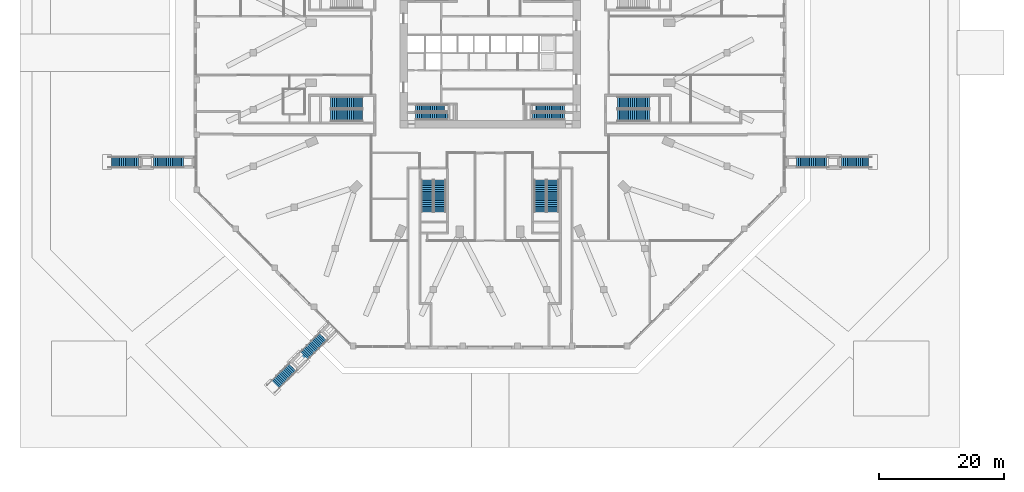
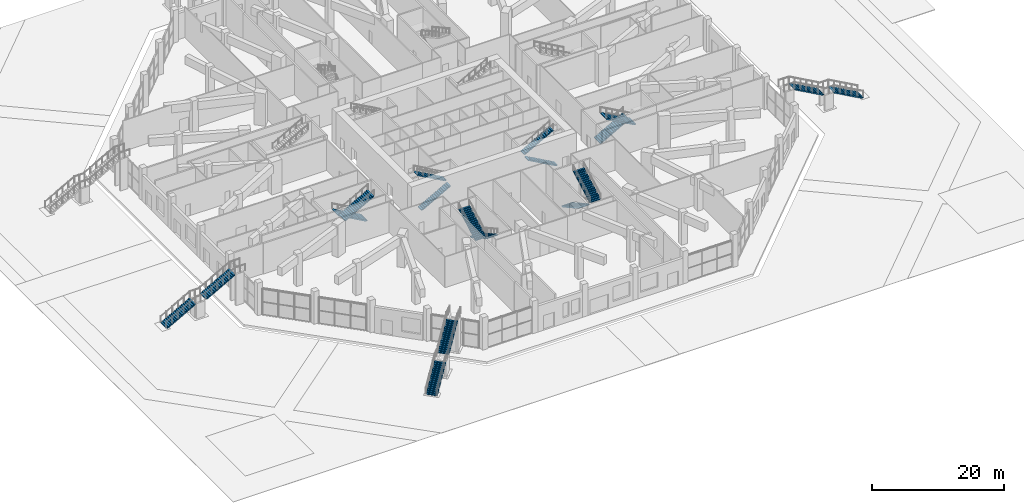
# One storey, part 29 of 36: 18 stair flights, 9 elements without a shape of their own.
"""IFC4 building model written with IfcOpenShell, lengths in metres."""

import ifcopenshell
import ifcopenshell.guid

model = None  # the IFC model being written
_history = None  # IfcOwnerHistory: only IFC2X3 demands one
_inside = {}  # id of a spatial element -> (the spatial element, [elements in it])
_under = {}  # id of a project, library or spatial element -> (it, [spatial elements below it])
_declared = {}  # id of a project -> (the project, [libraries it declares])
_typed = {}  # id of a type object -> (the type object, [elements of that type])
_made_of = {}  # id of a material, layer set ... -> (it, [elements and type objects made of it])


def new_model(schema):
    """Start an empty IFC model of exactly this schema.

    Asked for "IFC4X3", IfcOpenShell would pick the latest addendum, in which some entities
    have other attributes; the version numbers below select the first issue.
    IFC2X3 requires an IfcOwnerHistory on every rooted entity: one is made here for all.
    """
    global model, _history
    if schema == "IFC4X3":
        model = ifcopenshell.file(schema_version=(4, 3, 0, 0))
    else:
        model = ifcopenshell.file(schema=schema)
    _inside.clear()
    _under.clear()
    _declared.clear()
    _typed.clear()
    _made_of.clear()
    _history = None
    if model.schema == "IFC2X3":
        org = make("IfcOrganization", Name="unknown")
        user = make(
            "IfcPersonAndOrganization",
            ThePerson=make("IfcPerson", FamilyName="unknown"),
            TheOrganization=org,
        )
        app = make(
            "IfcApplication",
            ApplicationDeveloper=org,
            Version="unknown",
            ApplicationFullName="unknown",
            ApplicationIdentifier="unknown",
        )
        _history = make(
            "IfcOwnerHistory",
            OwningUser=user,
            OwningApplication=app,
            ChangeAction="ADDED",
            CreationDate=0,
        )
    return model


def make(cls, **values):
    """One entity of the class cls with the attributes given. An attribute that is None is left unset."""
    return model.create_entity(
        cls, **{name: value for name, value in values.items() if value is not None}
    )


def rooted(cls, **values):
    """An entity with a GlobalId (a new one), such as an element, a storey or a relation."""
    return make(cls, GlobalId=ifcopenshell.guid.new(), OwnerHistory=_history, **values)


def si_unit(unit_type, name, prefix=None):
    """IfcSIUnit, for example si_unit("LENGTHUNIT", "METRE", prefix="MILLI")."""
    return make("IfcSIUnit", UnitType=unit_type, Prefix=prefix, Name=name)


def assignment(units):
    """IfcUnitAssignment: the units of a project."""
    return None if units is None else make("IfcUnitAssignment", Units=units)


def point(xyz):
    """IfcCartesianPoint."""
    return None if xyz is None else make("IfcCartesianPoint", Coordinates=xyz)


def direction(xyz):
    """IfcDirection."""
    return None if xyz is None else make("IfcDirection", DirectionRatios=xyz)


def frame(location, z_axis=None, x_axis=None):
    """IfcAxis2Placement3D, a coordinate frame: its origin and axes. An axis left out is left unset."""
    return make(
        "IfcAxis2Placement3D",
        Location=point(location),
        Axis=direction(z_axis),
        RefDirection=direction(x_axis),
    )


def origin():
    """The frame at (0, 0, 0) with its axes left unset."""
    return frame((0.0, 0.0, 0.0))


def place(relative_to, where):
    """IfcLocalPlacement: puts the frame where relative to a parent placement (None: the world)."""
    return make(
        "IfcLocalPlacement", PlacementRelTo=relative_to, RelativePlacement=where
    )


def context(
    kind, dimensions, precision=None, world=None, true_north=None, identifier=None
):
    """IfcGeometricRepresentationContext, for example the 3D "Model" context."""
    return make(
        "IfcGeometricRepresentationContext",
        ContextIdentifier=identifier,
        ContextType=kind,
        CoordinateSpaceDimension=dimensions,
        Precision=precision,
        WorldCoordinateSystem=world,
        TrueNorth=true_north,
    )


def subcontext(parent, identifier, kind, view, scale=None):
    """IfcGeometricRepresentationSubContext, for example "Body" below "Model"."""
    return make(
        "IfcGeometricRepresentationSubContext",
        ContextIdentifier=identifier,
        ContextType=kind,
        ParentContext=parent,
        TargetScale=scale,
        TargetView=view,
    )


def project(units=None, contexts=None):
    """IfcProject with its units and contexts."""
    return rooted(
        "IfcProject",
        Name="project",
        RepresentationContexts=contexts,
        UnitsInContext=assignment(units),
    )


def spatial(cls, under=None, at=None, **own):
    """A site, building, storey or space (cls), placed at a placement, below another one or the project."""
    s = rooted(cls, ObjectPlacement=at, **own)
    if under is not None:
        _under.setdefault(under.id(), (under, []))[1].append(s)
    return s


def polyline(points):
    """IfcPolyline through the points."""
    return make("IfcPolyline", Points=[point(p) for p in points])


def outline(outer, holes=None, kind="AREA"):
    """IfcArbitraryClosedProfileDef: a profile drawn as a closed curve; with holes, ...WithVoids."""
    if holes is None:
        return make("IfcArbitraryClosedProfileDef", ProfileType=kind, OuterCurve=outer)
    return make(
        "IfcArbitraryProfileDefWithVoids",
        ProfileType=kind,
        OuterCurve=outer,
        InnerCurves=holes,
    )


def extrude(swept, where, along, depth):
    """IfcExtrudedAreaSolid: the profile swept, set in the frame where, extruded along a direction by depth."""
    return make(
        "IfcExtrudedAreaSolid",
        SweptArea=swept,
        Position=where,
        ExtrudedDirection=direction(along),
        Depth=depth,
    )


def shape(context_of_items, identifier, shape_type, items):
    """IfcShapeRepresentation: the items that make up one representation, for example the "Body"."""
    return make(
        "IfcShapeRepresentation",
        ContextOfItems=context_of_items,
        RepresentationIdentifier=identifier,
        RepresentationType=shape_type,
        Items=items,
    )


def material(Name=None, Category=None):
    """IfcMaterial."""
    return make("IfcMaterial", Name=Name, Category=Category)


def constituent(of_material, Name=None, Category=None, fraction=None):
    """IfcMaterialConstituent: one of the materials an element consists of."""
    return make(
        "IfcMaterialConstituent",
        Name=Name,
        Material=of_material,
        Fraction=fraction,
        Category=Category,
    )


def constituent_set(constituents=None, Name=None):
    """IfcMaterialConstituentSet."""
    return make(
        "IfcMaterialConstituentSet", Name=Name, MaterialConstituents=constituents
    )


def made_of(thing, what):
    """Note that an element or type object is made of a material, layer set ...; save() writes the relation."""
    if what is not None:
        _made_of.setdefault(what.id(), (what, []))[1].append(thing)
    return thing


def type_object(cls, material=None, **own):
    """A type object (cls), such as IfcWallType, which elements share."""
    return made_of(rooted(cls, **own), material)


def element(
    cls,
    number,
    at=None,
    inside=None,
    cuts=None,
    type_object=None,
    material=None,
    context=None,
    identifier="Body",
    shape_type=None,
    held_by="IfcProductDefinitionShape",
    body=None,
    shapes=None,
    **own,
):
    """One element of the class cls, such as IfcWall. Its Tag is "e" and its number.

    at: its placement. inside: the storey or other place that contains it. cuts: it is an
    opening in that element (IfcRelVoidsElement). A single representation is given by context,
    identifier, shape_type and body (its items); several are given by shapes. held_by: the class
    of the entity that holds the representations. save() writes the other relations.
    """
    e = rooted(cls, Tag="e%d" % number, ObjectPlacement=at, **own)
    if body is not None:
        shapes = [shape(context, identifier, shape_type, body)]
    if shapes is not None:
        e.Representation = make(held_by, Representations=shapes)
    if inside is not None:
        _inside.setdefault(inside.id(), (inside, []))[1].append(e)
    if cuts is not None:
        rooted(
            "IfcRelVoidsElement", RelatingBuildingElement=cuts, RelatedOpeningElement=e
        )
    if type_object is not None:
        _typed.setdefault(type_object.id(), (type_object, []))[1].append(e)
    return made_of(e, material)


def aggregate(whole, parts):
    """IfcRelAggregates: a whole, such as a stair, and the parts it consists of."""
    return rooted("IfcRelAggregates", RelatingObject=whole, RelatedObjects=parts)


def save(model, path):
    """Write the relations noted so far, then the file.

    IfcRelAggregates (storeys below a building ...), IfcRelContainedInSpatialStructure (elements
    in a storey), IfcRelDefinesByType, IfcRelAssociatesMaterial and IfcRelDeclares: one each for
    every whole, place, type object, material and project.
    """
    for whole, parts in _under.values():
        aggregate(whole, parts)
    for where, things in _inside.values():
        rooted(
            "IfcRelContainedInSpatialStructure",
            RelatedElements=things,
            RelatingStructure=where,
        )
    for kind, things in _typed.values():
        rooted("IfcRelDefinesByType", RelatedObjects=things, RelatingType=kind)
    for what, things in _made_of.values():
        rooted("IfcRelAssociatesMaterial", RelatedObjects=things, RelatingMaterial=what)
    for by, libraries in _declared.values():
        rooted("IfcRelDeclares", RelatingContext=by, RelatedDefinitions=libraries)
    model.write(path)


model = new_model("IFC4")

# Units and contexts
model_context = context("Model", 3, precision=1e-05, world=origin(), true_north=direction((0.0, 1.0)))
body_context = subcontext(model_context, "Body", "Model", "MODEL_VIEW")
ifc_project = project(units=[si_unit("LENGTHUNIT", "METRE"), si_unit("AREAUNIT", "SQUARE_METRE"), si_unit("VOLUMEUNIT", "CUBIC_METRE"), si_unit("PLANEANGLEUNIT", "RADIAN"), si_unit("MASSUNIT", "GRAM", prefix="KILO")], contexts=[model_context])

# Site, building, storey
site_placement = place(None, origin())
site = spatial("IfcSite", under=ifc_project, at=site_placement, CompositionType="ELEMENT")
building_placement = place(site_placement, origin())
building = spatial("IfcBuilding", under=site, at=building_placement, Name="Msitu Wima Residences", CompositionType="ELEMENT")
storey_placement = place(building_placement, origin())
storey = spatial("IfcBuildingStorey", under=building, at=storey_placement, Name="L00", CompositionType="ELEMENT", Elevation=0.0)

# Stair, stair flights
ifc_material_1 = material(Name="Concrete C40/50", Category="concrete")
stair_type_1 = type_object("IfcStairType", Name="Exit stair ES1667-110", PredefinedType="HALF_TURN_STAIR", material=ifc_material_1)
stair_1_placement = place(storey_placement, origin())
stair_1 = element("IfcStair", 1, at=stair_1_placement, inside=storey, type_object=stair_type_1, Name="Exit stair 2", PredefinedType="HALF_TURN_STAIR")
stair_flight_type_1 = type_object("IfcStairFlightType", Name="Exit stair flight ES1667-110", PredefinedType="STRAIGHT", material=ifc_material_1)
stair_flight_1_placement = place(storey_placement, frame((-11.875, -10.125, 0.0), z_axis=(0.0, 0.0, 1.0), x_axis=(1.0, 0.0, 0.0)))
stair_flight_1 = element("IfcStairFlight", 2, at=stair_flight_1_placement, type_object=stair_flight_type_1, Name="S2 flight 1", NumberOfRisers=18, NumberOfTreads=17, PredefinedType="STRAIGHT", RiserHeight=0.166666667, TreadLength=0.3, context=body_context, shape_type="SweptSolid", body=[
    extrude(outline(polyline([(0.0, 0.0), (0.0, 0.166748046875), (0.300048828125, 0.166748046875), (0.300048828125, 0.333251953125), (0.60009765625, 0.333251953125), (0.60009765625, 0.5), (0.89990234375, 0.5), (0.89990234375, 0.666748046875), (1.199951171875, 0.666748046875), (1.199951171875, 0.833251953125), (1.5, 0.833251953125), (1.5, 1.0), (1.800048828125, 1.0), (1.800048828125, 1.166748046875), (2.10009765625, 1.166748046875), (2.10009765625, 1.333251953125), (2.39990234375, 1.333251953125), (2.39990234375, 1.5), (2.699951171875, 1.5), (2.699951171875, 1.666748046875), (3.0, 1.666748046875), (3.0, 1.833251953125), (3.300048828125, 1.833251953125), (3.300048828125, 2.0), (3.60009765625, 2.0), (3.60009765625, 2.166748046875), (3.89990234375, 2.166748046875), (3.89990234375, 2.333251953125), (4.199951171875, 2.333251953125), (4.199951171875, 2.5), (4.5, 2.5), (4.5, 2.666748046875), (4.800048828125, 2.666748046875), (4.800048828125, 2.833251953125), (5.10009765625, 2.833251953125), (5.10009765625, 3.0), (5.10009765625, 2.661865234375), (0.30859375, 0.0), (0.0, 0.0)])), frame((0.0, 0.550048828125, 0.0), z_axis=(0.0, -1.0, 0.0), x_axis=(1.0, 0.0, 0.0)), (0.0, 0.0, 1.0), 1.10009765625),
])
stair_flight_2_placement = place(storey_placement, frame((-6.77490234375, -8.875, 3.0), z_axis=(0.0, 0.0, 1.0), x_axis=(-1.0, 0.0, 0.0)))
stair_flight_2 = element("IfcStairFlight", 3, at=stair_flight_2_placement, type_object=stair_flight_type_1, Name="S2 flight 2", NumberOfRisers=18, NumberOfTreads=17, PredefinedType="STRAIGHT", RiserHeight=0.166666667, TreadLength=0.3, context=body_context, shape_type="SweptSolid", body=[
    extrude(outline(polyline([(0.0, 0.0), (0.0, 0.166748046875), (0.300048828125, 0.166748046875), (0.300048828125, 0.333251953125), (0.60009765625, 0.333251953125), (0.60009765625, 0.5), (0.89990234375, 0.5), (0.89990234375, 0.666748046875), (1.199951171875, 0.666748046875), (1.199951171875, 0.833251953125), (1.5, 0.833251953125), (1.5, 1.0), (1.800048828125, 1.0), (1.800048828125, 1.166748046875), (2.10009765625, 1.166748046875), (2.10009765625, 1.333251953125), (2.39990234375, 1.333251953125), (2.39990234375, 1.5), (2.699951171875, 1.5), (2.699951171875, 1.666748046875), (3.0, 1.666748046875), (3.0, 1.833251953125), (3.300048828125, 1.833251953125), (3.300048828125, 2.0), (3.60009765625, 2.0), (3.60009765625, 2.166748046875), (3.89990234375, 2.166748046875), (3.89990234375, 2.333251953125), (4.199951171875, 2.333251953125), (4.199951171875, 2.5), (4.5, 2.5), (4.5, 2.666748046875), (4.800048828125, 2.666748046875), (4.800048828125, 2.833251953125), (5.10009765625, 2.833251953125), (5.10009765625, 3.0), (5.10009765625, 2.661865234375), (0.30859375, 0.0), (0.0, 0.0)])), frame((0.0, 0.550048828125, 0.0), z_axis=(0.0, -1.0, 0.0), x_axis=(1.0, 0.0, 0.0)), (0.0, 0.0, 1.0), 1.10009765625),
])
aggregate(stair_1, [stair_flight_1, stair_flight_2])

stair_2_placement = place(storey_placement, origin())
stair_2 = element("IfcStair", 4, at=stair_2_placement, inside=storey, type_object=stair_type_1, Name="Exit stair 4", PredefinedType="HALF_TURN_STAIR")
stair_flight_3_placement = place(storey_placement, frame((11.875, -10.125, 0.0), z_axis=(0.0, 0.0, 1.0), x_axis=(-1.0, 0.0, 0.0)))
stair_flight_3 = element("IfcStairFlight", 5, at=stair_flight_3_placement, type_object=stair_flight_type_1, Name="S4 flight 1", NumberOfRisers=18, NumberOfTreads=17, PredefinedType="STRAIGHT", RiserHeight=0.166666667, TreadLength=0.3, context=body_context, shape_type="SweptSolid", body=[
    extrude(outline(polyline([(0.0, 0.0), (0.0, 0.166748046875), (0.300048828125, 0.166748046875), (0.300048828125, 0.333251953125), (0.60009765625, 0.333251953125), (0.60009765625, 0.5), (0.89990234375, 0.5), (0.89990234375, 0.666748046875), (1.199951171875, 0.666748046875), (1.199951171875, 0.833251953125), (1.5, 0.833251953125), (1.5, 1.0), (1.800048828125, 1.0), (1.800048828125, 1.166748046875), (2.10009765625, 1.166748046875), (2.10009765625, 1.333251953125), (2.39990234375, 1.333251953125), (2.39990234375, 1.5), (2.699951171875, 1.5), (2.699951171875, 1.666748046875), (3.0, 1.666748046875), (3.0, 1.833251953125), (3.300048828125, 1.833251953125), (3.300048828125, 2.0), (3.60009765625, 2.0), (3.60009765625, 2.166748046875), (3.89990234375, 2.166748046875), (3.89990234375, 2.333251953125), (4.199951171875, 2.333251953125), (4.199951171875, 2.5), (4.5, 2.5), (4.5, 2.666748046875), (4.800048828125, 2.666748046875), (4.800048828125, 2.833251953125), (5.10009765625, 2.833251953125), (5.10009765625, 3.0), (5.10009765625, 2.661865234375), (0.30859375, 0.0), (0.0, 0.0)])), frame((0.0, 0.550048828125, 0.0), z_axis=(0.0, -1.0, 0.0), x_axis=(1.0, 0.0, 0.0)), (0.0, 0.0, 1.0), 1.10009765625),
])
stair_flight_4_placement = place(storey_placement, frame((6.77490234375, -8.875, 3.0), z_axis=(0.0, 0.0, 1.0), x_axis=(1.0, 0.0, 0.0)))
stair_flight_4 = element("IfcStairFlight", 6, at=stair_flight_4_placement, type_object=stair_flight_type_1, Name="S4 flight 2", NumberOfRisers=18, NumberOfTreads=17, PredefinedType="STRAIGHT", RiserHeight=0.166666667, TreadLength=0.3, context=body_context, shape_type="SweptSolid", body=[
    extrude(outline(polyline([(0.0, 0.0), (0.0, 0.166748046875), (0.300048828125, 0.166748046875), (0.300048828125, 0.333251953125), (0.60009765625, 0.333251953125), (0.60009765625, 0.5), (0.89990234375, 0.5), (0.89990234375, 0.666748046875), (1.199951171875, 0.666748046875), (1.199951171875, 0.833251953125), (1.5, 0.833251953125), (1.5, 1.0), (1.800048828125, 1.0), (1.800048828125, 1.166748046875), (2.10009765625, 1.166748046875), (2.10009765625, 1.333251953125), (2.39990234375, 1.333251953125), (2.39990234375, 1.5), (2.699951171875, 1.5), (2.699951171875, 1.666748046875), (3.0, 1.666748046875), (3.0, 1.833251953125), (3.300048828125, 1.833251953125), (3.300048828125, 2.0), (3.60009765625, 2.0), (3.60009765625, 2.166748046875), (3.89990234375, 2.166748046875), (3.89990234375, 2.333251953125), (4.199951171875, 2.333251953125), (4.199951171875, 2.5), (4.5, 2.5), (4.5, 2.666748046875), (4.800048828125, 2.666748046875), (4.800048828125, 2.833251953125), (5.10009765625, 2.833251953125), (5.10009765625, 3.0), (5.10009765625, 2.661865234375), (0.30859375, 0.0), (0.0, 0.0)])), frame((0.0, 0.550048828125, 0.0), z_axis=(0.0, -1.0, 0.0), x_axis=(1.0, 0.0, 0.0)), (0.0, 0.0, 1.0), 1.10009765625),
])
aggregate(stair_2, [stair_flight_3, stair_flight_4])

stair_type_2 = type_object("IfcStairType", Name="External stair garden STAIR", PredefinedType="NOTDEFINED", material=ifc_material_1)
stair_3_placement = place(storey_placement, origin())
stair_3 = element("IfcStair", 7, at=stair_3_placement, inside=storey, type_object=stair_type_2, Name="External stair SW4", PredefinedType="NOTDEFINED")
ifc_constituent_1 = constituent(ifc_material_1, Name="Concrete C40/50")
ifc_material_2 = material(Name="Exposed aggregate finish")
ifc_constituent_2 = constituent(ifc_material_2, Name="Exposed aggregate finish")
ifc_constituent_set_1 = constituent_set(constituents=[ifc_constituent_1, ifc_constituent_2], Name="Concrete C40/50")
stair_flight_type_2 = type_object("IfcStairFlightType", Name="External stair flight FL1800", PredefinedType="STRAIGHT", material=ifc_constituent_set_1)
stair_flight_5_placement = place(storey_placement, frame((-34.944091796875, -53.652099609375, 0.0), z_axis=(0.0, 0.0, 1.0), x_axis=(0.707106781187, 0.707106781187, 0.0)))
stair_flight_5 = element("IfcStairFlight", 8, at=stair_flight_5_placement, type_object=stair_flight_type_2, Name="ES1 flight 1", NumberOfRisers=18, NumberOfTreads=17, PredefinedType="STRAIGHT", RiserHeight=0.166667, TreadLength=0.3, context=body_context, shape_type="SweptSolid", body=[
    extrude(outline(polyline([(0.0, 0.0), (0.0, 0.166748046875), (0.300048828125, 0.166748046875), (0.300048828125, 0.333251953125), (0.60009765625, 0.333251953125), (0.60009765625, 0.5), (0.89990234375, 0.5), (0.89990234375, 0.666748046875), (1.199951171875, 0.666748046875), (1.199951171875, 0.833251953125), (1.5, 0.833251953125), (1.5, 1.0), (1.800048828125, 1.0), (1.800048828125, 1.166748046875), (2.10009765625, 1.166748046875), (2.10009765625, 1.333251953125), (2.39990234375, 1.333251953125), (2.39990234375, 1.5), (2.699951171875, 1.5), (2.699951171875, 1.666748046875), (3.0, 1.666748046875), (3.0, 1.833251953125), (3.300048828125, 1.833251953125), (3.300048828125, 2.0), (3.60009765625, 2.0), (3.60009765625, 2.166748046875), (3.89990234375, 2.166748046875), (3.89990234375, 2.333251953125), (4.199951171875, 2.333251953125), (4.199951171875, 2.5), (4.5, 2.5), (4.5, 2.666748046875), (4.800048828125, 2.666748046875), (4.800048828125, 2.833251953125), (5.10009765625, 2.833251953125), (5.10009765625, 3.0), (5.10009765625, 2.661865234375), (0.30859375, 0.0), (0.0, 0.0)])), frame((0.0, 0.89990234375, 0.0), z_axis=(0.0, -1.0, 0.0), x_axis=(1.0, 0.0, 0.0)), (0.0, 0.0, 1.0), 1.800048828125),
])
stair_flight_6_placement = place(storey_placement, frame((-30.06494140625, -48.773193359375, 3.0), z_axis=(0.0, 0.0, 1.0), x_axis=(0.707106781187, 0.707106781187, 0.0)))
stair_flight_6 = element("IfcStairFlight", 9, at=stair_flight_6_placement, type_object=stair_flight_type_2, Name="ES1 flight 2", NumberOfRisers=18, NumberOfTreads=17, PredefinedType="STRAIGHT", RiserHeight=0.166667, TreadLength=0.3, context=body_context, shape_type="SweptSolid", body=[
    extrude(outline(polyline([(0.0, 0.0), (0.0, 0.166748046875), (0.300048828125, 0.166748046875), (0.300048828125, 0.333251953125), (0.60009765625, 0.333251953125), (0.60009765625, 0.5), (0.89990234375, 0.5), (0.89990234375, 0.666748046875), (1.199951171875, 0.666748046875), (1.199951171875, 0.833251953125), (1.5, 0.833251953125), (1.5, 1.0), (1.800048828125, 1.0), (1.800048828125, 1.166748046875), (2.10009765625, 1.166748046875), (2.10009765625, 1.333251953125), (2.39990234375, 1.333251953125), (2.39990234375, 1.5), (2.699951171875, 1.5), (2.699951171875, 1.666748046875), (3.0, 1.666748046875), (3.0, 1.833251953125), (3.300048828125, 1.833251953125), (3.300048828125, 2.0), (3.60009765625, 2.0), (3.60009765625, 2.166748046875), (3.89990234375, 2.166748046875), (3.89990234375, 2.333251953125), (4.199951171875, 2.333251953125), (4.199951171875, 2.5), (4.5, 2.5), (4.5, 2.666748046875), (4.800048828125, 2.666748046875), (4.800048828125, 2.833251953125), (5.10009765625, 2.833251953125), (5.10009765625, 3.0), (5.10009765625, 2.661865234375), (0.30859375, 0.0), (0.0, 0.0)])), frame((0.0, 0.89990234375, 0.0), z_axis=(0.0, -1.0, 0.0), x_axis=(1.0, 0.0, 0.0)), (0.0, 0.0, 1.0), 1.800048828125),
])
aggregate(stair_3, [stair_flight_5, stair_flight_6])

ifc_constituent_3 = constituent(ifc_material_1, Name="Concrete C40/50")
ifc_constituent_4 = constituent(ifc_material_2, Name="Exposed aggregate finish")
ifc_constituent_set_2 = constituent_set(constituents=[ifc_constituent_3, ifc_constituent_4], Name="Concrete C40/50")
stair_type_3 = type_object("IfcStairType", Name="Garden stair GX1667-180", PredefinedType="STRAIGHT_RUN_STAIR", material=ifc_constituent_set_2)
stair_4_placement = place(storey_placement, origin())
stair_4 = element("IfcStair", 10, at=stair_4_placement, inside=storey, type_object=stair_type_3, Name="Garden stair 2", PredefinedType="STRAIGHT_RUN_STAIR")
ifc_constituent_5 = constituent(ifc_material_1, Name="Concrete C40/50")
ifc_constituent_6 = constituent(ifc_material_2, Name="Exposed aggregate finish")
ifc_constituent_set_3 = constituent_set(constituents=[ifc_constituent_5, ifc_constituent_6], Name="Concrete C40/50")
stair_flight_type_3 = type_object("IfcStairFlightType", Name="Garden stair flight GX1667-180", PredefinedType="STRAIGHT", material=ifc_constituent_set_3)
stair_flight_7_placement = place(storey_placement, frame((60.89990234375, -17.484619140625, 0.0), z_axis=(0.0, 0.0, 1.0), x_axis=(-1.0, 0.0, 0.0)))
stair_flight_7 = element("IfcStairFlight", 11, at=stair_flight_7_placement, type_object=stair_flight_type_3, Name="GS2 flight 1", NumberOfRisers=18, NumberOfTreads=17, PredefinedType="STRAIGHT", RiserHeight=0.166667, TreadLength=0.3, context=body_context, shape_type="SweptSolid", body=[
    extrude(outline(polyline([(0.0, 0.0), (0.0, 0.166748046875), (0.300048828125, 0.166748046875), (0.300048828125, 0.333251953125), (0.60009765625, 0.333251953125), (0.60009765625, 0.5), (0.89990234375, 0.5), (0.89990234375, 0.666748046875), (1.199951171875, 0.666748046875), (1.199951171875, 0.833251953125), (1.5, 0.833251953125), (1.5, 1.0), (1.800048828125, 1.0), (1.800048828125, 1.166748046875), (2.10009765625, 1.166748046875), (2.10009765625, 1.333251953125), (2.39990234375, 1.333251953125), (2.39990234375, 1.5), (2.699951171875, 1.5), (2.699951171875, 1.666748046875), (3.0, 1.666748046875), (3.0, 1.833251953125), (3.300048828125, 1.833251953125), (3.300048828125, 2.0), (3.60009765625, 2.0), (3.60009765625, 2.166748046875), (3.89990234375, 2.166748046875), (3.89990234375, 2.333251953125), (4.199951171875, 2.333251953125), (4.199951171875, 2.5), (4.5, 2.5), (4.5, 2.666748046875), (4.800048828125, 2.666748046875), (4.800048828125, 2.833251953125), (5.10009765625, 2.833251953125), (5.10009765625, 3.0), (5.10009765625, 2.661865234375), (0.30859375, 0.0), (0.0, 0.0)])), frame((0.0, 0.89990234375, 0.0), z_axis=(0.0, -1.0, 0.0), x_axis=(1.0, 0.0, 0.0)), (0.0, 0.0, 1.0), 1.800048828125),
])
stair_flight_8_placement = place(storey_placement, frame((54.0, -17.484619140625, 3.0), z_axis=(0.0, 0.0, 1.0), x_axis=(-1.0, 0.0, 0.0)))
stair_flight_8 = element("IfcStairFlight", 12, at=stair_flight_8_placement, type_object=stair_flight_type_3, Name="GS2 flight 2", NumberOfRisers=18, NumberOfTreads=17, PredefinedType="STRAIGHT", RiserHeight=0.166667, TreadLength=0.3, context=body_context, shape_type="SweptSolid", body=[
    extrude(outline(polyline([(0.0, 0.0), (0.0, 0.166748046875), (0.300048828125, 0.166748046875), (0.300048828125, 0.333251953125), (0.60009765625, 0.333251953125), (0.60009765625, 0.5), (0.89990234375, 0.5), (0.89990234375, 0.666748046875), (1.199951171875, 0.666748046875), (1.199951171875, 0.833251953125), (1.5, 0.833251953125), (1.5, 1.0), (1.800048828125, 1.0), (1.800048828125, 1.166748046875), (2.10009765625, 1.166748046875), (2.10009765625, 1.333251953125), (2.39990234375, 1.333251953125), (2.39990234375, 1.5), (2.699951171875, 1.5), (2.699951171875, 1.666748046875), (3.0, 1.666748046875), (3.0, 1.833251953125), (3.300048828125, 1.833251953125), (3.300048828125, 2.0), (3.60009765625, 2.0), (3.60009765625, 2.166748046875), (3.89990234375, 2.166748046875), (3.89990234375, 2.333251953125), (4.199951171875, 2.333251953125), (4.199951171875, 2.5), (4.5, 2.5), (4.5, 2.666748046875), (4.800048828125, 2.666748046875), (4.800048828125, 2.833251953125), (5.10009765625, 2.833251953125), (5.10009765625, 3.0), (5.10009765625, 2.661865234375), (0.30859375, 0.0), (0.0, 0.0)])), frame((0.0, 0.89990234375, 0.0), z_axis=(0.0, -1.0, 0.0), x_axis=(1.0, 0.0, 0.0)), (0.0, 0.0, 1.0), 1.800048828125),
])
aggregate(stair_4, [stair_flight_7, stair_flight_8])

stair_5_placement = place(storey_placement, origin())
stair_5 = element("IfcStair", 13, at=stair_5_placement, inside=storey, type_object=stair_type_3, Name="Garden stair 3", PredefinedType="STRAIGHT_RUN_STAIR")
stair_flight_9_placement = place(storey_placement, frame((-60.89990234375, -17.484619140625, 0.0), z_axis=(0.0, 0.0, 1.0), x_axis=(1.0, 0.0, 0.0)))
stair_flight_9 = element("IfcStairFlight", 14, at=stair_flight_9_placement, type_object=stair_flight_type_3, Name="GS3 flight 1", NumberOfRisers=18, NumberOfTreads=17, PredefinedType="STRAIGHT", RiserHeight=0.166667, TreadLength=0.3, context=body_context, shape_type="SweptSolid", body=[
    extrude(outline(polyline([(0.0, 0.0), (0.0, 0.166748046875), (0.300048828125, 0.166748046875), (0.300048828125, 0.333251953125), (0.60009765625, 0.333251953125), (0.60009765625, 0.5), (0.89990234375, 0.5), (0.89990234375, 0.666748046875), (1.199951171875, 0.666748046875), (1.199951171875, 0.833251953125), (1.5, 0.833251953125), (1.5, 1.0), (1.800048828125, 1.0), (1.800048828125, 1.166748046875), (2.10009765625, 1.166748046875), (2.10009765625, 1.333251953125), (2.39990234375, 1.333251953125), (2.39990234375, 1.5), (2.699951171875, 1.5), (2.699951171875, 1.666748046875), (3.0, 1.666748046875), (3.0, 1.833251953125), (3.300048828125, 1.833251953125), (3.300048828125, 2.0), (3.60009765625, 2.0), (3.60009765625, 2.166748046875), (3.89990234375, 2.166748046875), (3.89990234375, 2.333251953125), (4.199951171875, 2.333251953125), (4.199951171875, 2.5), (4.5, 2.5), (4.5, 2.666748046875), (4.800048828125, 2.666748046875), (4.800048828125, 2.833251953125), (5.10009765625, 2.833251953125), (5.10009765625, 3.0), (5.10009765625, 2.661865234375), (0.30859375, 0.0), (0.0, 0.0)])), frame((0.0, 0.89990234375, 0.0), z_axis=(0.0, -1.0, 0.0), x_axis=(1.0, 0.0, 0.0)), (0.0, 0.0, 1.0), 1.800048828125),
])
stair_flight_10_placement = place(storey_placement, frame((-54.0, -17.484619140625, 3.0), z_axis=(0.0, 0.0, 1.0), x_axis=(1.0, 0.0, 0.0)))
stair_flight_10 = element("IfcStairFlight", 15, at=stair_flight_10_placement, type_object=stair_flight_type_3, Name="GS3 flight 2", NumberOfRisers=18, NumberOfTreads=17, PredefinedType="STRAIGHT", RiserHeight=0.166667, TreadLength=0.3, context=body_context, shape_type="SweptSolid", body=[
    extrude(outline(polyline([(0.0, 0.0), (0.0, 0.166748046875), (0.300048828125, 0.166748046875), (0.300048828125, 0.333251953125), (0.60009765625, 0.333251953125), (0.60009765625, 0.5), (0.89990234375, 0.5), (0.89990234375, 0.666748046875), (1.199951171875, 0.666748046875), (1.199951171875, 0.833251953125), (1.5, 0.833251953125), (1.5, 1.0), (1.800048828125, 1.0), (1.800048828125, 1.166748046875), (2.10009765625, 1.166748046875), (2.10009765625, 1.333251953125), (2.39990234375, 1.333251953125), (2.39990234375, 1.5), (2.699951171875, 1.5), (2.699951171875, 1.666748046875), (3.0, 1.666748046875), (3.0, 1.833251953125), (3.300048828125, 1.833251953125), (3.300048828125, 2.0), (3.60009765625, 2.0), (3.60009765625, 2.166748046875), (3.89990234375, 2.166748046875), (3.89990234375, 2.333251953125), (4.199951171875, 2.333251953125), (4.199951171875, 2.5), (4.5, 2.5), (4.5, 2.666748046875), (4.800048828125, 2.666748046875), (4.800048828125, 2.833251953125), (5.10009765625, 2.833251953125), (5.10009765625, 3.0), (5.10009765625, 2.661865234375), (0.30859375, 0.0), (0.0, 0.0)])), frame((0.0, 0.89990234375, 0.0), z_axis=(0.0, -1.0, 0.0), x_axis=(1.0, 0.0, 0.0)), (0.0, 0.0, 1.0), 1.800048828125),
])
aggregate(stair_5, [stair_flight_9, stair_flight_10])

stair_type_4 = type_object("IfcStairType", Name="Podium exit stair PX1667-190", PredefinedType="HALF_TURN_STAIR", material=ifc_material_1)
stair_6_placement = place(storey_placement, origin())
stair_6 = element("IfcStair", 16, at=stair_6_placement, inside=storey, type_object=stair_type_4, Name="Podium exit stair 2", PredefinedType="HALF_TURN_STAIR")
stair_flight_type_4 = type_object("IfcStairFlightType", Name="Podium exit stair flight PX1667-190", PredefinedType="STRAIGHT", material=ifc_material_1)
stair_flight_11_placement = place(storey_placement, frame((20.324951171875, -8.0, 0.0), z_axis=(0.0, 0.0, 1.0), x_axis=(1.0, 0.0, 0.0)))
stair_flight_11 = element("IfcStairFlight", 17, at=stair_flight_11_placement, type_object=stair_flight_type_4, Name="PS2 flight 1", NumberOfRisers=18, NumberOfTreads=17, PredefinedType="STRAIGHT", RiserHeight=0.166666667, TreadLength=0.3, context=body_context, shape_type="SweptSolid", body=[
    extrude(outline(polyline([(0.0, 0.0), (0.0, 0.166748046875), (0.300048828125, 0.166748046875), (0.300048828125, 0.333251953125), (0.60009765625, 0.333251953125), (0.60009765625, 0.5), (0.89990234375, 0.5), (0.89990234375, 0.666748046875), (1.199951171875, 0.666748046875), (1.199951171875, 0.833251953125), (1.5, 0.833251953125), (1.5, 1.0), (1.800048828125, 1.0), (1.800048828125, 1.166748046875), (2.10009765625, 1.166748046875), (2.10009765625, 1.333251953125), (2.39990234375, 1.333251953125), (2.39990234375, 1.5), (2.699951171875, 1.5), (2.699951171875, 1.666748046875), (3.0, 1.666748046875), (3.0, 1.833251953125), (3.300048828125, 1.833251953125), (3.300048828125, 2.0), (3.60009765625, 2.0), (3.60009765625, 2.166748046875), (3.89990234375, 2.166748046875), (3.89990234375, 2.333251953125), (4.199951171875, 2.333251953125), (4.199951171875, 2.5), (4.5, 2.5), (4.5, 2.666748046875), (4.800048828125, 2.666748046875), (4.800048828125, 2.833251953125), (5.10009765625, 2.833251953125), (5.10009765625, 3.0), (5.10009765625, 2.661865234375), (0.30859375, 0.0), (0.0, 0.0)])), frame((0.0, 0.949951171875, 0.0), z_axis=(0.0, -1.0, 0.0), x_axis=(1.0, 0.0, 0.0)), (0.0, 0.0, 1.0), 1.89990234375),
])
stair_flight_12_placement = place(storey_placement, frame((25.425048828125, -10.0, 3.0), z_axis=(0.0, 0.0, 1.0), x_axis=(-1.0, 0.0, 0.0)))
stair_flight_12 = element("IfcStairFlight", 18, at=stair_flight_12_placement, type_object=stair_flight_type_4, Name="PS2 flight 2", NumberOfRisers=18, NumberOfTreads=17, PredefinedType="STRAIGHT", RiserHeight=0.166666667, TreadLength=0.3, context=body_context, shape_type="SweptSolid", body=[
    extrude(outline(polyline([(0.0, 0.0), (0.0, 0.166748046875), (0.300048828125, 0.166748046875), (0.300048828125, 0.333251953125), (0.60009765625, 0.333251953125), (0.60009765625, 0.5), (0.89990234375, 0.5), (0.89990234375, 0.666748046875), (1.199951171875, 0.666748046875), (1.199951171875, 0.833251953125), (1.5, 0.833251953125), (1.5, 1.0), (1.800048828125, 1.0), (1.800048828125, 1.166748046875), (2.10009765625, 1.166748046875), (2.10009765625, 1.333251953125), (2.39990234375, 1.333251953125), (2.39990234375, 1.5), (2.699951171875, 1.5), (2.699951171875, 1.666748046875), (3.0, 1.666748046875), (3.0, 1.833251953125), (3.300048828125, 1.833251953125), (3.300048828125, 2.0), (3.60009765625, 2.0), (3.60009765625, 2.166748046875), (3.89990234375, 2.166748046875), (3.89990234375, 2.333251953125), (4.199951171875, 2.333251953125), (4.199951171875, 2.5), (4.5, 2.5), (4.5, 2.666748046875), (4.800048828125, 2.666748046875), (4.800048828125, 2.833251953125), (5.10009765625, 2.833251953125), (5.10009765625, 3.0), (5.10009765625, 2.661865234375), (0.30859375, 0.0), (0.0, 0.0)])), frame((0.0, 0.949951171875, 0.0), z_axis=(0.0, -1.0, 0.0), x_axis=(1.0, 0.0, 0.0)), (0.0, 0.0, 1.0), 1.89990234375),
])
aggregate(stair_6, [stair_flight_11, stair_flight_12])

stair_7_placement = place(storey_placement, origin())
stair_7 = element("IfcStair", 19, at=stair_7_placement, inside=storey, type_object=stair_type_4, Name="Podium exit stair 5", PredefinedType="HALF_TURN_STAIR")
stair_flight_13_placement = place(storey_placement, frame((-20.324951171875, -8.0, 0.0), z_axis=(0.0, 0.0, 1.0), x_axis=(-1.0, 0.0, 0.0)))
stair_flight_13 = element("IfcStairFlight", 20, at=stair_flight_13_placement, type_object=stair_flight_type_4, Name="PS5 flight 1", NumberOfRisers=18, NumberOfTreads=17, PredefinedType="STRAIGHT", RiserHeight=0.166666667, TreadLength=0.3, context=body_context, shape_type="SweptSolid", body=[
    extrude(outline(polyline([(0.0, 0.0), (0.0, 0.166748046875), (0.300048828125, 0.166748046875), (0.300048828125, 0.333251953125), (0.60009765625, 0.333251953125), (0.60009765625, 0.5), (0.89990234375, 0.5), (0.89990234375, 0.666748046875), (1.199951171875, 0.666748046875), (1.199951171875, 0.833251953125), (1.5, 0.833251953125), (1.5, 1.0), (1.800048828125, 1.0), (1.800048828125, 1.166748046875), (2.10009765625, 1.166748046875), (2.10009765625, 1.333251953125), (2.39990234375, 1.333251953125), (2.39990234375, 1.5), (2.699951171875, 1.5), (2.699951171875, 1.666748046875), (3.0, 1.666748046875), (3.0, 1.833251953125), (3.300048828125, 1.833251953125), (3.300048828125, 2.0), (3.60009765625, 2.0), (3.60009765625, 2.166748046875), (3.89990234375, 2.166748046875), (3.89990234375, 2.333251953125), (4.199951171875, 2.333251953125), (4.199951171875, 2.5), (4.5, 2.5), (4.5, 2.666748046875), (4.800048828125, 2.666748046875), (4.800048828125, 2.833251953125), (5.10009765625, 2.833251953125), (5.10009765625, 3.0), (5.10009765625, 2.661865234375), (0.30859375, 0.0), (0.0, 0.0)])), frame((0.0, 0.949951171875, 0.0), z_axis=(0.0, -1.0, 0.0), x_axis=(1.0, 0.0, 0.0)), (0.0, 0.0, 1.0), 1.89990234375),
])
stair_flight_14_placement = place(storey_placement, frame((-25.425048828125, -10.0, 3.0), z_axis=(0.0, 0.0, 1.0), x_axis=(1.0, 0.0, 0.0)))
stair_flight_14 = element("IfcStairFlight", 21, at=stair_flight_14_placement, type_object=stair_flight_type_4, Name="PS5 flight 2", NumberOfRisers=18, NumberOfTreads=17, PredefinedType="STRAIGHT", RiserHeight=0.166666667, TreadLength=0.3, context=body_context, shape_type="SweptSolid", body=[
    extrude(outline(polyline([(0.0, 0.0), (0.0, 0.166748046875), (0.300048828125, 0.166748046875), (0.300048828125, 0.333251953125), (0.60009765625, 0.333251953125), (0.60009765625, 0.5), (0.89990234375, 0.5), (0.89990234375, 0.666748046875), (1.199951171875, 0.666748046875), (1.199951171875, 0.833251953125), (1.5, 0.833251953125), (1.5, 1.0), (1.800048828125, 1.0), (1.800048828125, 1.166748046875), (2.10009765625, 1.166748046875), (2.10009765625, 1.333251953125), (2.39990234375, 1.333251953125), (2.39990234375, 1.5), (2.699951171875, 1.5), (2.699951171875, 1.666748046875), (3.0, 1.666748046875), (3.0, 1.833251953125), (3.300048828125, 1.833251953125), (3.300048828125, 2.0), (3.60009765625, 2.0), (3.60009765625, 2.166748046875), (3.89990234375, 2.166748046875), (3.89990234375, 2.333251953125), (4.199951171875, 2.333251953125), (4.199951171875, 2.5), (4.5, 2.5), (4.5, 2.666748046875), (4.800048828125, 2.666748046875), (4.800048828125, 2.833251953125), (5.10009765625, 2.833251953125), (5.10009765625, 3.0), (5.10009765625, 2.661865234375), (0.30859375, 0.0), (0.0, 0.0)])), frame((0.0, 0.949951171875, 0.0), z_axis=(0.0, -1.0, 0.0), x_axis=(1.0, 0.0, 0.0)), (0.0, 0.0, 1.0), 1.89990234375),
])
aggregate(stair_7, [stair_flight_13, stair_flight_14])

stair_8_placement = place(storey_placement, origin())
stair_8 = element("IfcStair", 22, at=stair_8_placement, inside=storey, type_object=stair_type_4, Name="Podium exit stair 7", PredefinedType="HALF_TURN_STAIR")
stair_flight_15_placement = place(storey_placement, frame((8.0, -20.324951171875, 0.0), z_axis=(0.0, 0.0, 1.0), x_axis=(0.0, -1.0, 0.0)))
stair_flight_15 = element("IfcStairFlight", 23, at=stair_flight_15_placement, type_object=stair_flight_type_4, Name="PS7 flight 1", NumberOfRisers=18, NumberOfTreads=17, PredefinedType="STRAIGHT", RiserHeight=0.166666667, TreadLength=0.3, context=body_context, shape_type="SweptSolid", body=[
    extrude(outline(polyline([(0.0, 0.0), (0.0, 0.166748046875), (0.300048828125, 0.166748046875), (0.300048828125, 0.333251953125), (0.60009765625, 0.333251953125), (0.60009765625, 0.5), (0.89990234375, 0.5), (0.89990234375, 0.666748046875), (1.199951171875, 0.666748046875), (1.199951171875, 0.833251953125), (1.5, 0.833251953125), (1.5, 1.0), (1.800048828125, 1.0), (1.800048828125, 1.166748046875), (2.10009765625, 1.166748046875), (2.10009765625, 1.333251953125), (2.39990234375, 1.333251953125), (2.39990234375, 1.5), (2.699951171875, 1.5), (2.699951171875, 1.666748046875), (3.0, 1.666748046875), (3.0, 1.833251953125), (3.300048828125, 1.833251953125), (3.300048828125, 2.0), (3.60009765625, 2.0), (3.60009765625, 2.166748046875), (3.89990234375, 2.166748046875), (3.89990234375, 2.333251953125), (4.199951171875, 2.333251953125), (4.199951171875, 2.5), (4.5, 2.5), (4.5, 2.666748046875), (4.800048828125, 2.666748046875), (4.800048828125, 2.833251953125), (5.10009765625, 2.833251953125), (5.10009765625, 3.0), (5.10009765625, 2.661865234375), (0.30859375, 0.0), (0.0, 0.0)])), frame((0.0, 0.949951171875, 0.0), z_axis=(0.0, -1.0, 0.0), x_axis=(1.0, 0.0, 0.0)), (0.0, 0.0, 1.0), 1.89990234375),
])
stair_flight_16_placement = place(storey_placement, frame((10.0, -25.425048828125, 3.0), z_axis=(0.0, 0.0, 1.0), x_axis=(0.0, 1.0, 0.0)))
stair_flight_16 = element("IfcStairFlight", 24, at=stair_flight_16_placement, type_object=stair_flight_type_4, Name="PS7 flight 2", NumberOfRisers=18, NumberOfTreads=17, PredefinedType="STRAIGHT", RiserHeight=0.166666667, TreadLength=0.3, context=body_context, shape_type="SweptSolid", body=[
    extrude(outline(polyline([(0.0, 0.0), (0.0, 0.166748046875), (0.300048828125, 0.166748046875), (0.300048828125, 0.333251953125), (0.60009765625, 0.333251953125), (0.60009765625, 0.5), (0.89990234375, 0.5), (0.89990234375, 0.666748046875), (1.199951171875, 0.666748046875), (1.199951171875, 0.833251953125), (1.5, 0.833251953125), (1.5, 1.0), (1.800048828125, 1.0), (1.800048828125, 1.166748046875), (2.10009765625, 1.166748046875), (2.10009765625, 1.333251953125), (2.39990234375, 1.333251953125), (2.39990234375, 1.5), (2.699951171875, 1.5), (2.699951171875, 1.666748046875), (3.0, 1.666748046875), (3.0, 1.833251953125), (3.300048828125, 1.833251953125), (3.300048828125, 2.0), (3.60009765625, 2.0), (3.60009765625, 2.166748046875), (3.89990234375, 2.166748046875), (3.89990234375, 2.333251953125), (4.199951171875, 2.333251953125), (4.199951171875, 2.5), (4.5, 2.5), (4.5, 2.666748046875), (4.800048828125, 2.666748046875), (4.800048828125, 2.833251953125), (5.10009765625, 2.833251953125), (5.10009765625, 3.0), (5.10009765625, 2.661865234375), (0.30859375, 0.0), (0.0, 0.0)])), frame((0.0, 0.949951171875, 0.0), z_axis=(0.0, -1.0, 0.0), x_axis=(1.0, 0.0, 0.0)), (0.0, 0.0, 1.0), 1.89990234375),
])
aggregate(stair_8, [stair_flight_15, stair_flight_16])

stair_9_placement = place(storey_placement, origin())
stair_9 = element("IfcStair", 25, at=stair_9_placement, inside=storey, type_object=stair_type_4, Name="Podium exit stair 8", PredefinedType="HALF_TURN_STAIR")
stair_flight_17_placement = place(storey_placement, frame((-8.0, -20.324951171875, 0.0), z_axis=(0.0, 0.0, 1.0), x_axis=(0.0, -1.0, 0.0)))
stair_flight_17 = element("IfcStairFlight", 26, at=stair_flight_17_placement, type_object=stair_flight_type_4, Name="PS8 flight 1", NumberOfRisers=18, NumberOfTreads=17, PredefinedType="STRAIGHT", RiserHeight=0.166666667, TreadLength=0.3, context=body_context, shape_type="SweptSolid", body=[
    extrude(outline(polyline([(0.0, 0.0), (0.0, 0.166748046875), (0.300048828125, 0.166748046875), (0.300048828125, 0.333251953125), (0.60009765625, 0.333251953125), (0.60009765625, 0.5), (0.89990234375, 0.5), (0.89990234375, 0.666748046875), (1.199951171875, 0.666748046875), (1.199951171875, 0.833251953125), (1.5, 0.833251953125), (1.5, 1.0), (1.800048828125, 1.0), (1.800048828125, 1.166748046875), (2.10009765625, 1.166748046875), (2.10009765625, 1.333251953125), (2.39990234375, 1.333251953125), (2.39990234375, 1.5), (2.699951171875, 1.5), (2.699951171875, 1.666748046875), (3.0, 1.666748046875), (3.0, 1.833251953125), (3.300048828125, 1.833251953125), (3.300048828125, 2.0), (3.60009765625, 2.0), (3.60009765625, 2.166748046875), (3.89990234375, 2.166748046875), (3.89990234375, 2.333251953125), (4.199951171875, 2.333251953125), (4.199951171875, 2.5), (4.5, 2.5), (4.5, 2.666748046875), (4.800048828125, 2.666748046875), (4.800048828125, 2.833251953125), (5.10009765625, 2.833251953125), (5.10009765625, 3.0), (5.10009765625, 2.661865234375), (0.30859375, 0.0), (0.0, 0.0)])), frame((0.0, 0.949951171875, 0.0), z_axis=(0.0, -1.0, 0.0), x_axis=(1.0, 0.0, 0.0)), (0.0, 0.0, 1.0), 1.89990234375),
])
stair_flight_18_placement = place(storey_placement, frame((-10.0, -25.425048828125, 3.0), z_axis=(0.0, 0.0, 1.0), x_axis=(0.0, 1.0, 0.0)))
stair_flight_18 = element("IfcStairFlight", 27, at=stair_flight_18_placement, type_object=stair_flight_type_4, Name="PS8 flight 2", NumberOfRisers=18, NumberOfTreads=17, PredefinedType="STRAIGHT", RiserHeight=0.166666667, TreadLength=0.3, context=body_context, shape_type="SweptSolid", body=[
    extrude(outline(polyline([(0.0, 0.0), (0.0, 0.166748046875), (0.300048828125, 0.166748046875), (0.300048828125, 0.333251953125), (0.60009765625, 0.333251953125), (0.60009765625, 0.5), (0.89990234375, 0.5), (0.89990234375, 0.666748046875), (1.199951171875, 0.666748046875), (1.199951171875, 0.833251953125), (1.5, 0.833251953125), (1.5, 1.0), (1.800048828125, 1.0), (1.800048828125, 1.166748046875), (2.10009765625, 1.166748046875), (2.10009765625, 1.333251953125), (2.39990234375, 1.333251953125), (2.39990234375, 1.5), (2.699951171875, 1.5), (2.699951171875, 1.666748046875), (3.0, 1.666748046875), (3.0, 1.833251953125), (3.300048828125, 1.833251953125), (3.300048828125, 2.0), (3.60009765625, 2.0), (3.60009765625, 2.166748046875), (3.89990234375, 2.166748046875), (3.89990234375, 2.333251953125), (4.199951171875, 2.333251953125), (4.199951171875, 2.5), (4.5, 2.5), (4.5, 2.666748046875), (4.800048828125, 2.666748046875), (4.800048828125, 2.833251953125), (5.10009765625, 2.833251953125), (5.10009765625, 3.0), (5.10009765625, 2.661865234375), (0.30859375, 0.0), (0.0, 0.0)])), frame((0.0, 0.949951171875, 0.0), z_axis=(0.0, -1.0, 0.0), x_axis=(1.0, 0.0, 0.0)), (0.0, 0.0, 1.0), 1.89990234375),
])
aggregate(stair_9, [stair_flight_17, stair_flight_18])

save(model, "model.ifc")
